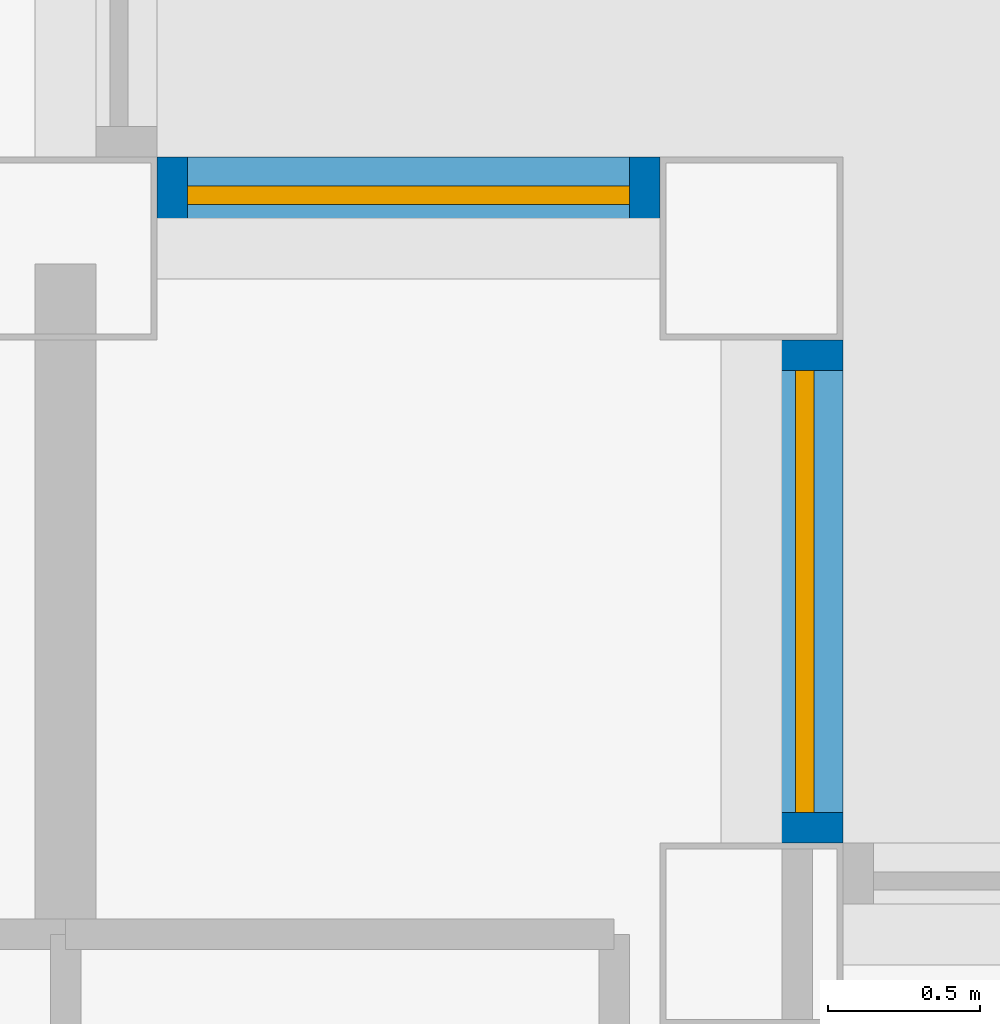
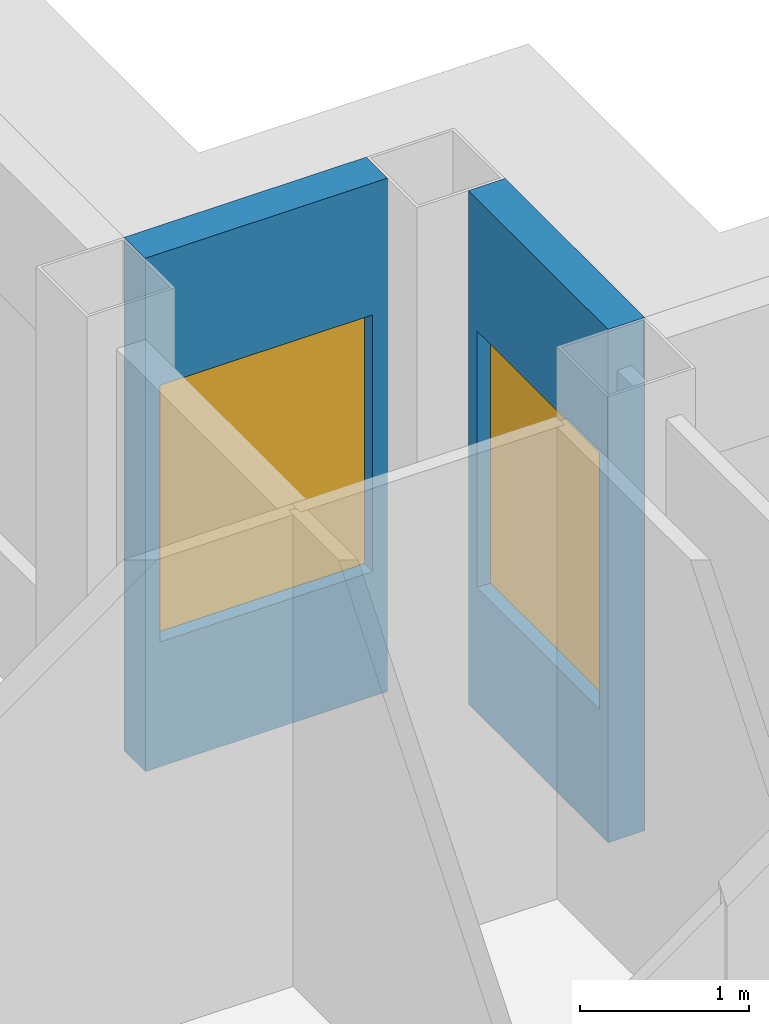
# One storey, part 6 of 11: 2 walls, 2 windows, 2 openings.
"""IFC4 building model written with IfcOpenShell, lengths in metres."""

from ifc_helpers import new_model, si_unit, direction, frame, frame_2d, origin, place, context, subcontext, project, spatial, rectangle, extrude, material, layer, layer_set, type_object, element, fill, save


model = new_model("IFC4")

# Units and contexts
model_context = context("Model", 3, precision=1e-05, world=origin(), true_north=direction((0.0, 1.0)))
body_context = subcontext(model_context, "Body", "Model", "MODEL_VIEW")
ifc_project = project(units=[si_unit("LENGTHUNIT", "METRE"), si_unit("AREAUNIT", "SQUARE_METRE"), si_unit("VOLUMEUNIT", "CUBIC_METRE"), si_unit("PLANEANGLEUNIT", "RADIAN"), si_unit("MASSUNIT", "GRAM", prefix="KILO")], contexts=[model_context])

# Site, building, storey
site_placement = place(None, origin())
site = spatial("IfcSite", under=ifc_project, at=site_placement, CompositionType="ELEMENT")
building_placement = place(site_placement, origin())
building = spatial("IfcBuilding", under=site, at=building_placement, Name="Caravel Reach Hotel and Residences", CompositionType="ELEMENT")
storey_placement = place(building_placement, frame((0.0, 0.0, 287.10009765625)))
storey = spatial("IfcBuildingStorey", under=building, at=storey_placement, Name="L73", CompositionType="ELEMENT", Elevation=287.10009765625)

# Wall, opening, window
ifc_material_1 = material(Name="Insulated rainscreen wall, aluminium cladding", Category="aluminium")
ifc_layer = layer(ifc_material_1, 0.25)
ifc_layer_set = layer_set([ifc_layer], Name="EW1 Tower rainscreen wall")
wall_type = type_object("IfcWallType", Name="EW1 Tower rainscreen wall", PredefinedType="SOLIDWALL", material=ifc_layer_set)
wall_1_placement = place(storey_placement, frame((47.425048828125, 36.300048828125, 0.0), z_axis=(0.0, 0.0, 1.0), x_axis=(0.0, 1.0, 0.0)))
wall_1 = element("IfcWall", 1, at=wall_1_placement, inside=storey, type_object=wall_type, Name="External wall L73 E7.1", PredefinedType="SOLIDWALL", context=body_context, shape_type="SweptSolid", body=[
    extrude(rectangle(XDim=1.64990234375, YDim=0.25, at=frame_2d((0.824951171875, 0.0))), origin(), (0.0, 0.0, 1.0), 3.699951171875),
])
opening_1_placement = place(wall_1_placement, frame((0.10009765625, 0.0, 0.89990234375)))
opening_1 = element("IfcOpeningElement", 2, at=opening_1_placement, cuts=wall_1, Name="Opening WN25", PredefinedType="OPENING", context=body_context, shape_type="SweptSolid", body=[
    extrude(rectangle(XDim=1.449951171875, YDim=1.85009765625, at=frame_2d((0.72509765625, 0.925048828125))), frame((0.0, 0.135009765625, 0.0), z_axis=(0.0, -1.0, 0.0), x_axis=(1.0, 0.0, 0.0)), (0.0, 0.0, 1.0), 0.27001953125),
])
ifc_material_2 = material(Name="Dark low-e glazing in black aluminium frame", Category="aluminium")
window_type = type_object("IfcWindowType", Name="Residence bedroom window 1450 x 1850", PartitioningType="SINGLE_PANEL", PredefinedType="WINDOW", material=ifc_material_2)
window_1_placement = place(opening_1_placement, origin())
window_1 = element("IfcWindow", 3, at=window_1_placement, inside=storey, type_object=window_type, Name="Window L73 E7.1.1", OverallHeight=1.85009765625, OverallWidth=1.449951171875, PartitioningType="SINGLE_PANEL", PredefinedType="WINDOW", context=body_context, shape_type="SweptSolid", body=[
    extrude(rectangle(XDim=1.449951171875, YDim=1.85009765625, at=frame_2d((0.72509765625, 0.925048828125))), frame((0.0, 0.030029296875, 0.0), z_axis=(0.0, -1.0, 0.0), x_axis=(1.0, 0.0, 0.0)), (0.0, 0.0, 1.0), 0.06005859375),
])
fill(opening_1, window_1)

wall_2_placement = place(storey_placement, frame((46.949951171875, 38.425048828125, 0.0), z_axis=(0.0, 0.0, 1.0), x_axis=(-1.0, 0.0, 0.0)))
wall_2 = element("IfcWall", 4, at=wall_2_placement, inside=storey, type_object=wall_type, Name="External wall L73 N8.1", PredefinedType="SOLIDWALL", context=body_context, shape_type="SweptSolid", body=[
    extrude(rectangle(XDim=1.64990234375, YDim=0.25, at=frame_2d((0.824951171875, 0.0))), origin(), (0.0, 0.0, 1.0), 3.699951171875),
])
opening_2_placement = place(wall_2_placement, frame((0.10009765625, 0.0, 0.89990234375)))
opening_2 = element("IfcOpeningElement", 5, at=opening_2_placement, cuts=wall_2, Name="Opening WN25", PredefinedType="OPENING", context=body_context, shape_type="SweptSolid", body=[
    extrude(rectangle(XDim=1.449951171875, YDim=1.85009765625, at=frame_2d((0.72509765625, 0.925048828125))), frame((0.0, 0.135009765625, 0.0), z_axis=(0.0, -1.0, 0.0), x_axis=(1.0, 0.0, 0.0)), (0.0, 0.0, 1.0), 0.27001953125),
])
window_2_placement = place(opening_2_placement, origin())
window_2 = element("IfcWindow", 6, at=window_2_placement, inside=storey, type_object=window_type, Name="Window L73 N8.1.1", OverallHeight=1.85009765625, OverallWidth=1.449951171875, PartitioningType="SINGLE_PANEL", PredefinedType="WINDOW", context=body_context, shape_type="SweptSolid", body=[
    extrude(rectangle(XDim=1.449951171875, YDim=1.85009765625, at=frame_2d((0.72509765625, 0.925048828125))), frame((0.0, 0.030029296875, 0.0), z_axis=(0.0, -1.0, 0.0), x_axis=(1.0, 0.0, 0.0)), (0.0, 0.0, 1.0), 0.06005859375),
])
fill(opening_2, window_2)

save(model, "model.ifc")
